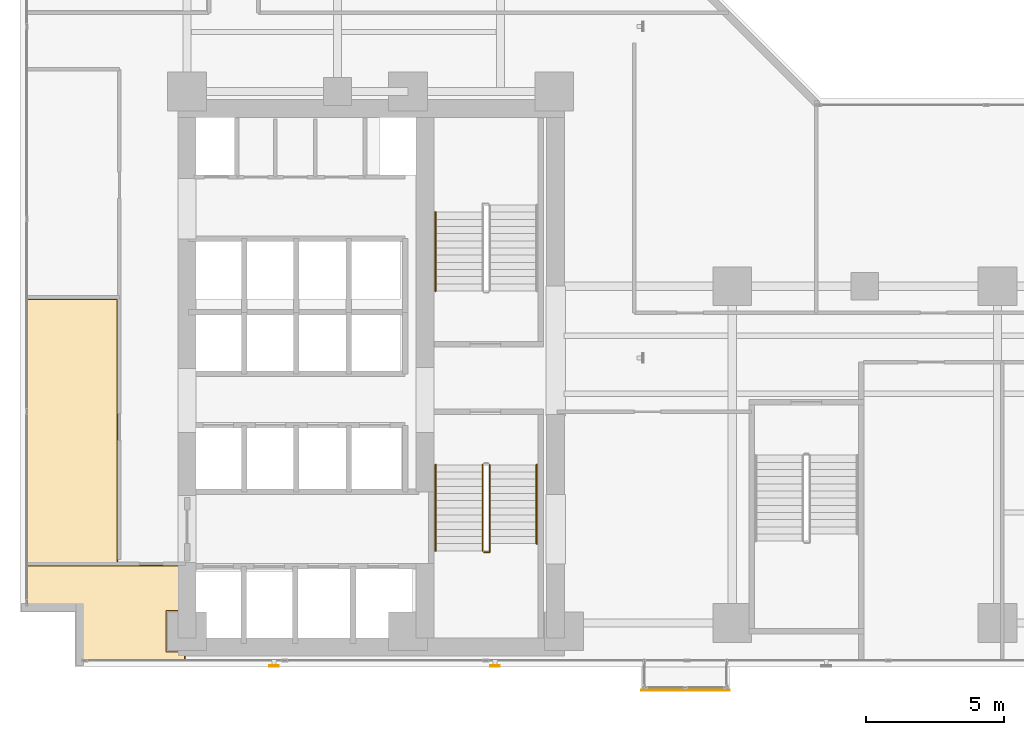
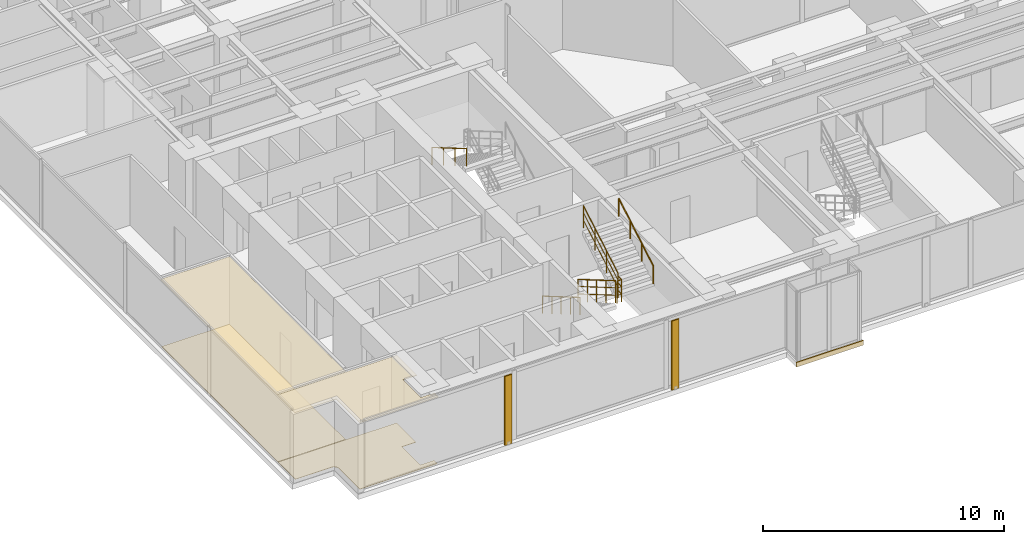
# One storey, part 23 of 25: 6 railings, 5 coverings, 2 shading devices.
"""IFC4 building model written with IfcOpenShell, lengths in metres."""

from ifc_helpers import new_model, si_unit, direction, frame, origin, origin_2d, place, context, subcontext, project, spatial, polyline, rectangle, hollow_rectangle, circle, outline, extrude, material, layer, layer_set, material_profile, profile_set, type_object, element, save


model = new_model("IFC4")

# Units and contexts
model_context = context("Model", 3, precision=1e-05, world=origin(), true_north=direction((0.0, 1.0)))
body_context = subcontext(model_context, "Body", "Model", "MODEL_VIEW")
ifc_project = project(units=[si_unit("LENGTHUNIT", "METRE"), si_unit("AREAUNIT", "SQUARE_METRE"), si_unit("VOLUMEUNIT", "CUBIC_METRE"), si_unit("PLANEANGLEUNIT", "RADIAN"), si_unit("MASSUNIT", "GRAM", prefix="KILO")], contexts=[model_context])

# Site, building, storey
site_placement = place(None, origin())
site = spatial("IfcSite", under=ifc_project, at=site_placement, CompositionType="ELEMENT")
building_placement = place(site_placement, origin())
building = spatial("IfcBuilding", under=site, at=building_placement, Name="Kolvaren Waterfront Exchange", CompositionType="ELEMENT")
storey_placement = place(building_placement, frame((0.0, 0.0, 106.89990234375)))
storey = spatial("IfcBuildingStorey", under=building, at=storey_placement, Name="L27", CompositionType="ELEMENT", Elevation=106.89990234375)

# Coverings
ifc_material_1 = material(Name="Mineral fibre acoustic ceiling tile")
ifc_layer_1 = layer(ifc_material_1, 0.02490234375, Name="Mineral fibre acoustic ceiling tile")
ifc_layer_set_1 = layer_set([ifc_layer_1], Name="Mineral fibre acoustic ceiling tile")
covering_type_1 = type_object("IfcCoveringType", Name="ARC-CEIL-ACOUSTIC-25", PredefinedType="CEILING", material=ifc_layer_set_1)
covering_1_placement = place(storey_placement, frame((0.0, 0.0, 3.385009765625)))
element("IfcCovering", 1, at=covering_1_placement, inside=storey, type_object=covering_type_1, Name="L27 acoustic suspended ceiling 2", PredefinedType="CEILING", context=body_context, shape_type="SweptSolid", body=[
    extrude(outline(polyline([(7.385009765625, 4.159912109375), (6.7099609375, 4.159912109375), (6.7099609375, 5.639892578125), (7.385009765625, 5.639892578125), (7.385009765625, 7.304931640625), (1.64501953125, 7.304931640625), (1.64501953125, 5.820068359375), (3.6201171875, 5.820068359375), (3.6201171875, 3.844970703125), (7.385009765625, 3.844970703125), (7.385009765625, 4.159912109375)])), origin(), (0.0, 0.0, 1.0), 0.025146484375),
])
covering_2_placement = place(storey_placement, frame((0.0, 0.0, 3.385009765625)))
element("IfcCovering", 2, at=covering_2_placement, inside=storey, type_object=covering_type_1, Name="L27 acoustic suspended ceiling 3", PredefinedType="CEILING", context=body_context, shape_type="SweptSolid", body=[
    extrude(outline(polyline([(1.64501953125, 7.2548828125), (4.955078125, 7.2548828125), (4.955078125, 16.955078125), (1.64501953125, 16.955078125), (1.64501953125, 7.2548828125)])), origin(), (0.0, 0.0, 1.0), 0.025146484375),
])
ifc_material_2 = material(Name="Anodised bronze fascia aluminium", Category="aluminium")
ifc_layer_2 = layer(ifc_material_2, 0.034912109375, Name="Anodised bronze fascia aluminium")
ifc_layer_set_2 = layer_set([ifc_layer_2], Name="Anodised bronze fascia aluminium")
covering_type_2 = type_object("IfcCoveringType", Name="ARC-CLAD-BRONZE-35", PredefinedType="CLADDING", material=ifc_layer_set_2)
covering_3_placement = place(storey_placement, frame((25.5, 2.77001953125, -0.2197265625), z_axis=(0.0, 0.0, 1.0), x_axis=(1.0, 0.0, 0.0)))
element("IfcCovering", 3, at=covering_3_placement, inside=storey, type_object=covering_type_2, Name="L27 ribbed anodised bronze bay-box fascia", PredefinedType="CLADDING", context=body_context, shape_type="SweptSolid", body=[
    extrude(rectangle(XDim=3.199951171875, YDim=0.034912109375, at=origin_2d()), origin(), (0.0, 0.0, 1.0), 0.239990234375),
])

# Shading devices
ifc_material_3 = material(Name="Anodised bronze aluminium 6063-T6", Category="aluminium")
ifc_material_profile = material_profile(ifc_material_3, hollow_rectangle(XDim=0.06005859375, YDim=0.35009765625, WallThickness=0.0048828125, at=origin_2d()), Name="BRZ-FIN-350x60x5")
ifc_profile_set = profile_set([ifc_material_profile], Name="Anodised bronze aluminium 6063-T6")
shading_device_type = type_object("IfcShadingDeviceType", Name="ARC-FIN-350", PredefinedType="USERDEFINED", material=ifc_profile_set)
for number, where, z_axis, x_axis, name in (
    (4, (10.60009765625, 3.639892578125, 0.0), (0.0, 0.0, 1.0), (0.0, -1.0, 0.0), "L27 anodised bronze solar shading fin FIN-L27-S1"),
    (5, (18.60009765625, 3.639892578125, 0.0), (0.0, 0.0, 1.0), (0.0, -1.0, 0.0), "L27 anodised bronze solar shading fin FIN-L27-S2"),
):
    element("IfcShadingDevice", number, at=place(storey_placement, frame(where, z_axis=z_axis, x_axis=x_axis)), inside=storey, type_object=shading_device_type, Name=name, ObjectType="SOLAR FIN", PredefinedType="USERDEFINED", context=body_context, shape_type="SweptSolid", body=[
        extrude(hollow_rectangle(XDim=0.06005859375, YDim=0.35009765625, WallThickness=0.0048828125, at=origin_2d()), origin(), (0.0, 0.0, 1.0), 3.5),
    ])

# Coverings
ifc_material_4 = material(Name="Slip-resistant porcelain tile")
ifc_layer_3 = layer(ifc_material_4, 0.014892578125, Name="Slip-resistant porcelain tile")
ifc_layer_set_3 = layer_set([ifc_layer_3], Name="Slip-resistant porcelain tile")
covering_type_3 = type_object("IfcCoveringType", Name="ARC-FLR-PORC-15", PredefinedType="FLOORING", material=ifc_layer_set_3)
covering_4_placement = place(storey_placement, origin())
element("IfcCovering", 6, at=covering_4_placement, inside=storey, type_object=covering_type_3, Name="L27 floor finish 2", PredefinedType="FLOORING", context=body_context, shape_type="SweptSolid", body=[
    extrude(outline(polyline([(7.35009765625, 7.27001953125), (1.679931640625, 7.27001953125), (1.679931640625, 5.840087890625), (3.39990234375, 5.840087890625), (3.423583984375, 5.8388671875), (3.44677734375, 5.83544921875), (3.4697265625, 5.82958984375), (3.49169921875, 5.82177734375), (3.51318359375, 5.811767578125), (3.533203125, 5.799560546875), (3.55224609375, 5.785400390625), (3.569580078125, 5.769775390625), (3.58544921875, 5.752197265625), (3.599609375, 5.7333984375), (3.61181640625, 5.713134765625), (3.62158203125, 5.69189453125), (3.629638671875, 5.669677734375), (3.635498046875, 5.646728515625), (3.638916015625, 5.62353515625), (3.639892578125, 5.60009765625), (3.639892578125, 3.8798828125), (7.35009765625, 3.8798828125), (7.35009765625, 4.139892578125), (6.68994140625, 4.139892578125), (6.68994140625, 5.659912109375), (7.35009765625, 5.659912109375), (7.35009765625, 7.27001953125)])), origin(), (0.0, 0.0, 1.0), 0.01513671875),
])
covering_5_placement = place(storey_placement, origin())
element("IfcCovering", 7, at=covering_5_placement, inside=storey, type_object=covering_type_3, Name="L27 floor finish 3", PredefinedType="FLOORING", context=body_context, shape_type="SweptSolid", body=[
    extrude(outline(polyline([(4.919921875, 16.919921875), (1.679931640625, 16.919921875), (1.679931640625, 7.2900390625), (4.919921875, 7.2900390625), (4.919921875, 16.919921875)])), origin(), (0.0, 0.0, 1.0), 0.01513671875),
])

# Railings
ifc_material_5 = material(Name="Stainless steel 316", Category="steel")
railing_type_1 = type_object("IfcRailingType", Name="ARC-GUARD-STAIR", PredefinedType="GUARDRAIL", material=ifc_material_5)
railing_1_placement = place(storey_placement, frame((18.14990234375, 10.929931640625, 0.152099609375)))
element("IfcRailing", 8, at=railing_1_placement, inside=storey, type_object=railing_type_1, Name="L27 ST1 stair guard 1", PredefinedType="GUARDRAIL", context=body_context, shape_type="SweptSolid", body=[
    extrude(circle(Radius=0.02392578125, at=origin_2d()), frame((0.0, 0.0, 1.1259765625), z_axis=(0.0, -0.86329090724, 0.504706656858), x_axis=(1.0, 0.0, 0.0)), (0.0, 0.0, 1.0), 3.614013671875),
    extrude(circle(Radius=0.01611328125, at=origin_2d()), frame((0.0, 0.0, 0.390869140625), z_axis=(0.0, -0.86329090724, 0.504706656858), x_axis=(1.0, 0.0, 0.0)), (0.0, 0.0, 1.0), 3.614013671875),
    extrude(circle(Radius=0.01611328125, at=origin_2d()), frame((0.0, 0.0, 0.7705078125), z_axis=(0.0, -0.86329090724, 0.504706656858), x_axis=(1.0, 0.0, 0.0)), (0.0, 0.0, 1.0), 3.614013671875),
    extrude(circle(Radius=0.02099609375, at=origin_2d()), origin(), (0.0, 0.0, 1.0), 1.101806640625),
    extrude(circle(Radius=0.02099609375, at=origin_2d()), frame((0.0, -0.780029296875, 0.4560546875)), (0.0, 0.0, 1.0), 1.101806640625),
    extrude(circle(Radius=0.02099609375, at=origin_2d()), frame((0.0, -1.56005859375, 0.912109375)), (0.0, 0.0, 1.0), 1.101806640625),
    extrude(circle(Radius=0.02099609375, at=origin_2d()), frame((0.0, -2.33984375, 1.367919921875)), (0.0, 0.0, 1.0), 1.101806640625),
    extrude(circle(Radius=0.02099609375, at=origin_2d()), frame((0.0, -3.119873046875, 1.823974609375)), (0.0, 0.0, 1.0), 1.101806640625),
])
railing_2_placement = place(storey_placement, frame((18.199951171875, 7.760009765625, 1.97607421875)))
element("IfcRailing", 9, at=railing_2_placement, inside=storey, type_object=railing_type_1, Name="L27 ST1 stair guard 2", PredefinedType="GUARDRAIL", context=body_context, shape_type="SweptSolid", body=[
    extrude(circle(Radius=0.02392578125, at=origin_2d()), frame((0.0, 0.0, 1.1259765625), z_axis=(1.0, 0.0, 0.0), x_axis=(0.0, 1.0, 0.0)), (0.0, 0.0, 1.0), 0.2099609375),
    extrude(circle(Radius=0.01611328125, at=origin_2d()), frame((0.0, 0.0, 0.390869140625), z_axis=(1.0, 0.0, 0.0), x_axis=(0.0, 1.0, 0.0)), (0.0, 0.0, 1.0), 0.2099609375),
    extrude(circle(Radius=0.01611328125, at=origin_2d()), frame((0.0, 0.0, 0.7705078125), z_axis=(1.0, 0.0, 0.0), x_axis=(0.0, 1.0, 0.0)), (0.0, 0.0, 1.0), 0.2099609375),
    extrude(circle(Radius=0.02392578125, at=origin_2d()), frame((0.2099609375, 0.0, 1.1259765625), z_axis=(0.0, 1.0, 0.0), x_axis=(-1.0, 0.0, 0.0)), (0.0, 0.0, 1.0), 0.31005859375),
    extrude(circle(Radius=0.01611328125, at=origin_2d()), frame((0.2099609375, 0.0, 0.390869140625), z_axis=(0.0, 1.0, 0.0), x_axis=(-1.0, 0.0, 0.0)), (0.0, 0.0, 1.0), 0.31005859375),
    extrude(circle(Radius=0.01611328125, at=origin_2d()), frame((0.2099609375, 0.0, 0.7705078125), z_axis=(0.0, 1.0, 0.0), x_axis=(-1.0, 0.0, 0.0)), (0.0, 0.0, 1.0), 0.31005859375),
    extrude(circle(Radius=0.02099609375, at=origin_2d()), origin(), (0.0, 0.0, 1.0), 1.101806640625),
    extrude(circle(Radius=0.02099609375, at=origin_2d()), frame((0.2099609375, 0.0, 0.0)), (0.0, 0.0, 1.0), 1.101806640625),
    extrude(circle(Radius=0.02099609375, at=origin_2d()), frame((0.2099609375, 0.31005859375, 0.0)), (0.0, 0.0, 1.0), 1.101806640625),
])
railing_3_placement = place(storey_placement, frame((18.409912109375, 8.070068359375, 2.128173828125)))
element("IfcRailing", 10, at=railing_3_placement, inside=storey, type_object=railing_type_1, Name="L27 ST1 stair guard 3", PredefinedType="GUARDRAIL", context=body_context, shape_type="SweptSolid", body=[
    extrude(circle(Radius=0.02392578125, at=origin_2d()), frame((0.0, 0.0, 1.1259765625), z_axis=(0.0, 0.86330272217, 0.504686447108), x_axis=(-1.0, 0.0, 0.0)), (0.0, 0.0, 1.0), 3.312744140625),
    extrude(circle(Radius=0.01611328125, at=origin_2d()), frame((0.0, 0.0, 0.390869140625), z_axis=(0.0, 0.86330272217, 0.504686447108), x_axis=(-1.0, 0.0, 0.0)), (0.0, 0.0, 1.0), 3.312744140625),
    extrude(circle(Radius=0.01611328125, at=origin_2d()), frame((0.0, 0.0, 0.7705078125), z_axis=(0.0, 0.86330272217, 0.504686447108), x_axis=(-1.0, 0.0, 0.0)), (0.0, 0.0, 1.0), 3.312744140625),
    extrude(circle(Radius=0.02099609375, at=origin_2d()), origin(), (0.0, 0.0, 1.0), 1.101806640625),
    extrude(circle(Radius=0.02099609375, at=origin_2d()), frame((0.0, 0.953369140625, 0.557373046875)), (0.0, 0.0, 1.0), 1.101806640625),
    extrude(circle(Radius=0.02099609375, at=origin_2d()), frame((0.0, 1.906494140625, 1.114501953125)), (0.0, 0.0, 1.0), 1.101806640625),
    extrude(circle(Radius=0.02099609375, at=origin_2d()), frame((0.0, 2.85986328125, 1.671875)), (0.0, 0.0, 1.0), 1.101806640625),
])
railing_type_2 = type_object("IfcRailingType", Name="ARC-HANDRAIL-900", PredefinedType="HANDRAIL", material=ifc_material_5)
railing_4_placement = place(storey_placement, frame((16.449951171875, 10.929931640625, 0.152099609375)))
element("IfcRailing", 11, at=railing_4_placement, inside=storey, type_object=railing_type_2, Name="L27 ST1 stair handrail 1", PredefinedType="HANDRAIL", context=body_context, shape_type="SweptSolid", body=[
    extrude(circle(Radius=0.02392578125, at=origin_2d()), frame((0.0, 0.0, 0.8759765625), z_axis=(0.0, -0.86329090724, 0.504706656858), x_axis=(1.0, 0.0, 0.0)), (0.0, 0.0, 1.0), 3.614013671875),
    extrude(circle(Radius=0.02099609375, at=origin_2d()), origin(), (0.0, 0.0, 1.0), 0.851806640625),
    extrude(circle(Radius=0.02099609375, at=origin_2d()), frame((0.0, -0.780029296875, 0.4560546875)), (0.0, 0.0, 1.0), 0.851806640625),
    extrude(circle(Radius=0.02099609375, at=origin_2d()), frame((0.0, -1.56005859375, 0.912109375)), (0.0, 0.0, 1.0), 0.851806640625),
    extrude(circle(Radius=0.02099609375, at=origin_2d()), frame((0.0, -2.33984375, 1.367919921875)), (0.0, 0.0, 1.0), 0.851806640625),
    extrude(circle(Radius=0.02099609375, at=origin_2d()), frame((0.0, -3.119873046875, 1.823974609375)), (0.0, 0.0, 1.0), 0.851806640625),
])
railing_5_placement = place(storey_placement, frame((20.110107421875, 8.070068359375, 2.128173828125)))
element("IfcRailing", 12, at=railing_5_placement, inside=storey, type_object=railing_type_2, Name="L27 ST1 stair handrail 2", PredefinedType="HANDRAIL", context=body_context, shape_type="SweptSolid", body=[
    extrude(circle(Radius=0.02392578125, at=origin_2d()), frame((0.0, 0.0, 0.8759765625), z_axis=(0.0, 0.86330272217, 0.504686447108), x_axis=(-1.0, 0.0, 0.0)), (0.0, 0.0, 1.0), 3.312744140625),
    extrude(circle(Radius=0.02099609375, at=origin_2d()), origin(), (0.0, 0.0, 1.0), 0.851806640625),
    extrude(circle(Radius=0.02099609375, at=origin_2d()), frame((0.0, 0.953369140625, 0.557373046875)), (0.0, 0.0, 1.0), 0.851806640625),
    extrude(circle(Radius=0.02099609375, at=origin_2d()), frame((0.0, 1.906494140625, 1.114501953125)), (0.0, 0.0, 1.0), 0.851806640625),
    extrude(circle(Radius=0.02099609375, at=origin_2d()), frame((0.0, 2.85986328125, 1.671875)), (0.0, 0.0, 1.0), 0.851806640625),
])
railing_6_placement = place(storey_placement, frame((16.449951171875, 20.080078125, 2.128173828125)))
element("IfcRailing", 13, at=railing_6_placement, inside=storey, type_object=railing_type_2, Name="L27 ST2 stair handrail 2", PredefinedType="HANDRAIL", context=body_context, shape_type="SweptSolid", body=[
    extrude(circle(Radius=0.02392578125, at=origin_2d()), frame((0.0, 0.0, 0.8759765625), z_axis=(0.0, -0.863321491973, 0.504654338629), x_axis=(1.0, 0.0, 0.0)), (0.0, 0.0, 1.0), 3.31298828125),
    extrude(circle(Radius=0.02099609375, at=origin_2d()), origin(), (0.0, 0.0, 1.0), 0.851806640625),
    extrude(circle(Radius=0.02099609375, at=origin_2d()), frame((0.0, -0.953369140625, 0.557373046875)), (0.0, 0.0, 1.0), 0.851806640625),
    extrude(circle(Radius=0.02099609375, at=origin_2d()), frame((0.0, -1.90673828125, 1.114501953125)), (0.0, 0.0, 1.0), 0.851806640625),
    extrude(circle(Radius=0.02099609375, at=origin_2d()), frame((0.0, -2.860107421875, 1.671875)), (0.0, 0.0, 1.0), 0.851806640625),
])

save(model, "model.ifc")
